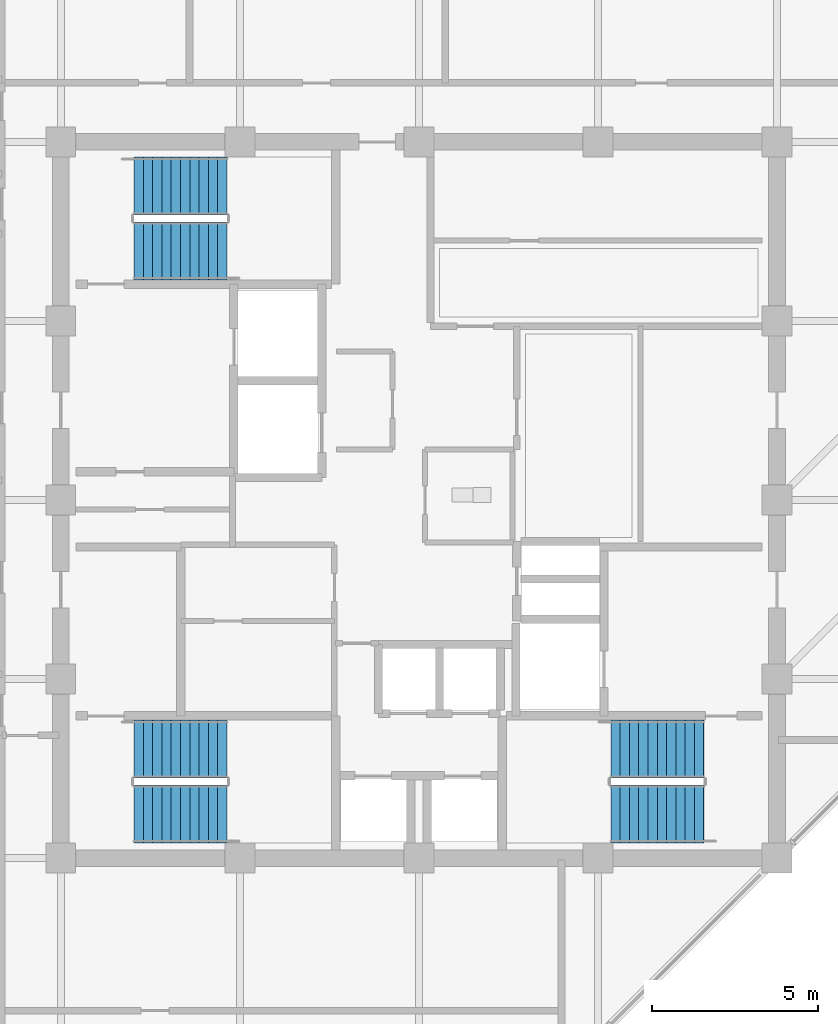
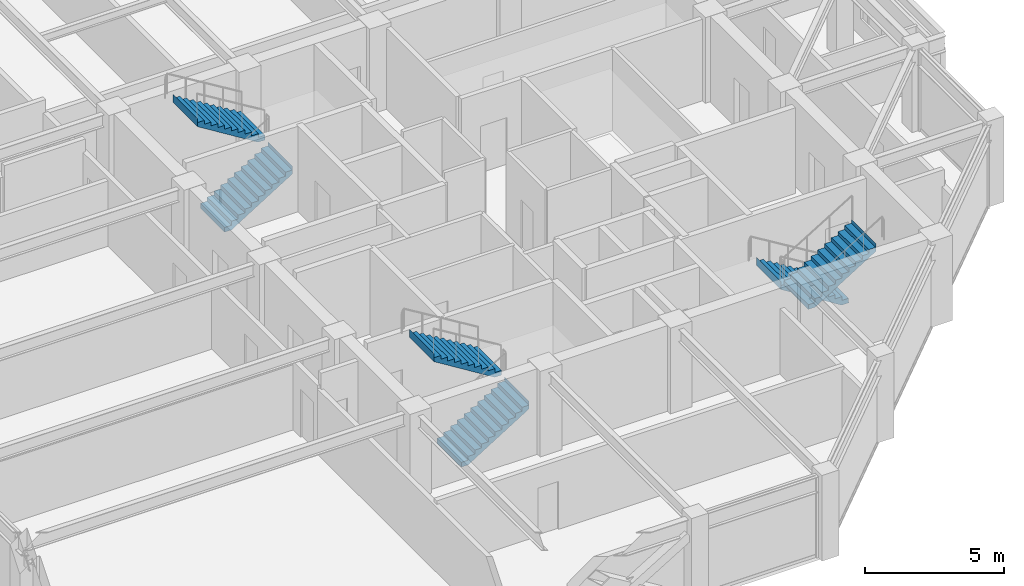
# One storey, part 26 of 29: 6 stair flights, 3 elements without a shape of their own.
"""IFC4 building model written with IfcOpenShell, lengths in metres."""

from ifc_helpers import new_model, si_unit, direction, frame, origin, place, context, subcontext, project, spatial, polyline, outline, extrude, material, type_object, element, aggregate, save


model = new_model("IFC4")

# Units and contexts
model_context = context("Model", 3, precision=1e-05, world=origin(), true_north=direction((0.0, 1.0)))
body_context = subcontext(model_context, "Body", "Model", "MODEL_VIEW")
ifc_project = project(units=[si_unit("LENGTHUNIT", "METRE"), si_unit("AREAUNIT", "SQUARE_METRE"), si_unit("VOLUMEUNIT", "CUBIC_METRE"), si_unit("PLANEANGLEUNIT", "RADIAN"), si_unit("MASSUNIT", "GRAM", prefix="KILO")], contexts=[model_context])

# Site, building, storey
site_placement = place(None, origin())
site = spatial("IfcSite", under=ifc_project, at=site_placement, CompositionType="ELEMENT")
building_placement = place(site_placement, origin())
building = spatial("IfcBuilding", under=site, at=building_placement, Name="Surkhivell Harbour Commons", CompositionType="ELEMENT")
storey_placement = place(building_placement, frame((0.0, 0.0, 273.75)))
storey = spatial("IfcBuildingStorey", under=building, at=storey_placement, Name="L71", CompositionType="ELEMENT", Elevation=273.75)

# Stair, stair flights
ifc_material = material(Name="Precast concrete C45/55", Category="concrete")
stair_type = type_object("IfcStairType", Name="STR-DL-375", PredefinedType="HALF_TURN_STAIR", material=ifc_material)
stair_1_placement = place(storey_placement, origin())
stair_1 = element("IfcStair", 1, at=stair_1_placement, inside=storey, type_object=stair_type, Name="L71 Core Exit Stair ST1", PredefinedType="HALF_TURN_STAIR")
stair_flight_type = type_object("IfcStairFlightType", Name="STF-DL-375", PredefinedType="STRAIGHT", material=ifc_material)
stair_flight_1_placement = place(storey_placement, frame((-8.590087890625, 7.514892578125, 0.0), z_axis=(0.0, 0.0, 1.0), x_axis=(1.0, 0.0, 0.0)))
stair_flight_1 = element("IfcStairFlight", 2, at=stair_flight_1_placement, type_object=stair_flight_type, Name="ST1 flight 1", NumberOfRisers=11, NumberOfTreads=10, PredefinedType="STRAIGHT", RiserHeight=0.170454545, TreadLength=0.28, context=body_context, shape_type="SweptSolid", body=[
    extrude(outline(polyline([(-0.0029296875, -0.034912109375), (-0.0029296875, 0.0), (0.0, 0.0), (0.0, 0.17041015625), (0.280029296875, 0.17041015625), (0.280029296875, 0.3408203125), (0.56005859375, 0.3408203125), (0.56005859375, 0.511474609375), (0.840087890625, 0.511474609375), (0.840087890625, 0.681884765625), (1.1201171875, 0.681884765625), (1.1201171875, 0.852294921875), (1.39990234375, 0.852294921875), (1.39990234375, 1.022705078125), (1.679931640625, 1.022705078125), (1.679931640625, 1.193115234375), (1.9599609375, 1.193115234375), (1.9599609375, 1.363525390625), (2.239990234375, 1.363525390625), (2.239990234375, 1.5341796875), (2.52001953125, 1.5341796875), (2.52001953125, 1.70458984375), (2.800048828125, 1.70458984375), (2.800048828125, 1.875), (2.802978515625, 1.875), (2.802978515625, 1.529052734375), (0.288330078125, -0.034912109375), (-0.0029296875, -0.034912109375)])), frame((0.0, 0.875, 0.0), z_axis=(0.0, -1.0, 0.0), x_axis=(1.0, 0.0, 0.0)), (0.0, 0.0, 1.0), 1.75),
])
stair_flight_2_placement = place(storey_placement, frame((-5.7900390625, 9.465087890625, 1.875), z_axis=(0.0, 0.0, 1.0), x_axis=(-1.0, 0.0, 0.0)))
stair_flight_2 = element("IfcStairFlight", 3, at=stair_flight_2_placement, type_object=stair_flight_type, Name="ST1 flight 2", NumberOfRisers=11, NumberOfTreads=10, PredefinedType="STRAIGHT", RiserHeight=0.170454545, TreadLength=0.28, context=body_context, shape_type="SweptSolid", body=[
    extrude(outline(polyline([(-0.0029296875, -0.034912109375), (-0.0029296875, 0.0), (0.0, 0.0), (0.0, 0.17041015625), (0.280029296875, 0.17041015625), (0.280029296875, 0.3408203125), (0.56005859375, 0.3408203125), (0.56005859375, 0.511474609375), (0.840087890625, 0.511474609375), (0.840087890625, 0.681884765625), (1.1201171875, 0.681884765625), (1.1201171875, 0.852294921875), (1.39990234375, 0.852294921875), (1.39990234375, 1.022705078125), (1.679931640625, 1.022705078125), (1.679931640625, 1.193115234375), (1.9599609375, 1.193115234375), (1.9599609375, 1.363525390625), (2.239990234375, 1.363525390625), (2.239990234375, 1.5341796875), (2.52001953125, 1.5341796875), (2.52001953125, 1.70458984375), (2.800048828125, 1.70458984375), (2.800048828125, 1.875), (2.802978515625, 1.875), (2.802978515625, 1.529052734375), (0.288330078125, -0.034912109375), (-0.0029296875, -0.034912109375)])), frame((0.0, 0.875, 0.0), z_axis=(0.0, -1.0, 0.0), x_axis=(1.0, 0.0, 0.0)), (0.0, 0.0, 1.0), 1.75),
])
aggregate(stair_1, [stair_flight_1, stair_flight_2])

stair_2_placement = place(storey_placement, origin())
stair_2 = element("IfcStair", 4, at=stair_2_placement, inside=storey, type_object=stair_type, Name="L71 Core Exit Stair ST2", PredefinedType="HALF_TURN_STAIR")
stair_flight_3_placement = place(storey_placement, frame((8.590087890625, -7.514892578125, 0.0), z_axis=(0.0, 0.0, 1.0), x_axis=(-1.0, 0.0, 0.0)))
stair_flight_3 = element("IfcStairFlight", 5, at=stair_flight_3_placement, type_object=stair_flight_type, Name="ST2 flight 1", NumberOfRisers=11, NumberOfTreads=10, PredefinedType="STRAIGHT", RiserHeight=0.170454545, TreadLength=0.28, context=body_context, shape_type="SweptSolid", body=[
    extrude(outline(polyline([(-0.0029296875, -0.034912109375), (-0.0029296875, 0.0), (0.0, 0.0), (0.0, 0.17041015625), (0.280029296875, 0.17041015625), (0.280029296875, 0.3408203125), (0.56005859375, 0.3408203125), (0.56005859375, 0.511474609375), (0.840087890625, 0.511474609375), (0.840087890625, 0.681884765625), (1.1201171875, 0.681884765625), (1.1201171875, 0.852294921875), (1.39990234375, 0.852294921875), (1.39990234375, 1.022705078125), (1.679931640625, 1.022705078125), (1.679931640625, 1.193115234375), (1.9599609375, 1.193115234375), (1.9599609375, 1.363525390625), (2.239990234375, 1.363525390625), (2.239990234375, 1.5341796875), (2.52001953125, 1.5341796875), (2.52001953125, 1.70458984375), (2.800048828125, 1.70458984375), (2.800048828125, 1.875), (2.802978515625, 1.875), (2.802978515625, 1.529052734375), (0.288330078125, -0.034912109375), (-0.0029296875, -0.034912109375)])), frame((0.0, 0.875, 0.0), z_axis=(0.0, -1.0, 0.0), x_axis=(1.0, 0.0, 0.0)), (0.0, 0.0, 1.0), 1.75),
])
stair_flight_4_placement = place(storey_placement, frame((5.7900390625, -9.465087890625, 1.875), z_axis=(0.0, 0.0, 1.0), x_axis=(1.0, 0.0, 0.0)))
stair_flight_4 = element("IfcStairFlight", 6, at=stair_flight_4_placement, type_object=stair_flight_type, Name="ST2 flight 2", NumberOfRisers=11, NumberOfTreads=10, PredefinedType="STRAIGHT", RiserHeight=0.170454545, TreadLength=0.28, context=body_context, shape_type="SweptSolid", body=[
    extrude(outline(polyline([(-0.0029296875, -0.034912109375), (-0.0029296875, 0.0), (0.0, 0.0), (0.0, 0.17041015625), (0.280029296875, 0.17041015625), (0.280029296875, 0.3408203125), (0.56005859375, 0.3408203125), (0.56005859375, 0.511474609375), (0.840087890625, 0.511474609375), (0.840087890625, 0.681884765625), (1.1201171875, 0.681884765625), (1.1201171875, 0.852294921875), (1.39990234375, 0.852294921875), (1.39990234375, 1.022705078125), (1.679931640625, 1.022705078125), (1.679931640625, 1.193115234375), (1.9599609375, 1.193115234375), (1.9599609375, 1.363525390625), (2.239990234375, 1.363525390625), (2.239990234375, 1.5341796875), (2.52001953125, 1.5341796875), (2.52001953125, 1.70458984375), (2.800048828125, 1.70458984375), (2.800048828125, 1.875), (2.802978515625, 1.875), (2.802978515625, 1.529052734375), (0.288330078125, -0.034912109375), (-0.0029296875, -0.034912109375)])), frame((0.0, 0.875, 0.0), z_axis=(0.0, -1.0, 0.0), x_axis=(1.0, 0.0, 0.0)), (0.0, 0.0, 1.0), 1.75),
])
aggregate(stair_2, [stair_flight_3, stair_flight_4])

stair_3_placement = place(storey_placement, origin())
stair_3 = element("IfcStair", 7, at=stair_3_placement, inside=storey, type_object=stair_type, Name="L71 Core Exit Stair ST3", PredefinedType="HALF_TURN_STAIR")
stair_flight_5_placement = place(storey_placement, frame((-8.590087890625, -9.465087890625, 0.0), z_axis=(0.0, 0.0, 1.0), x_axis=(1.0, 0.0, 0.0)))
stair_flight_5 = element("IfcStairFlight", 8, at=stair_flight_5_placement, type_object=stair_flight_type, Name="ST3 flight 1", NumberOfRisers=11, NumberOfTreads=10, PredefinedType="STRAIGHT", RiserHeight=0.170454545, TreadLength=0.28, context=body_context, shape_type="SweptSolid", body=[
    extrude(outline(polyline([(-0.0029296875, -0.034912109375), (-0.0029296875, 0.0), (0.0, 0.0), (0.0, 0.17041015625), (0.280029296875, 0.17041015625), (0.280029296875, 0.3408203125), (0.56005859375, 0.3408203125), (0.56005859375, 0.511474609375), (0.840087890625, 0.511474609375), (0.840087890625, 0.681884765625), (1.1201171875, 0.681884765625), (1.1201171875, 0.852294921875), (1.39990234375, 0.852294921875), (1.39990234375, 1.022705078125), (1.679931640625, 1.022705078125), (1.679931640625, 1.193115234375), (1.9599609375, 1.193115234375), (1.9599609375, 1.363525390625), (2.239990234375, 1.363525390625), (2.239990234375, 1.5341796875), (2.52001953125, 1.5341796875), (2.52001953125, 1.70458984375), (2.800048828125, 1.70458984375), (2.800048828125, 1.875), (2.802978515625, 1.875), (2.802978515625, 1.529052734375), (0.288330078125, -0.034912109375), (-0.0029296875, -0.034912109375)])), frame((0.0, 0.875, 0.0), z_axis=(0.0, -1.0, 0.0), x_axis=(1.0, 0.0, 0.0)), (0.0, 0.0, 1.0), 1.75),
])
stair_flight_6_placement = place(storey_placement, frame((-5.7900390625, -7.514892578125, 1.875), z_axis=(0.0, 0.0, 1.0), x_axis=(-1.0, 0.0, 0.0)))
stair_flight_6 = element("IfcStairFlight", 9, at=stair_flight_6_placement, type_object=stair_flight_type, Name="ST3 flight 2", NumberOfRisers=11, NumberOfTreads=10, PredefinedType="STRAIGHT", RiserHeight=0.170454545, TreadLength=0.28, context=body_context, shape_type="SweptSolid", body=[
    extrude(outline(polyline([(-0.0029296875, -0.034912109375), (-0.0029296875, 0.0), (0.0, 0.0), (0.0, 0.17041015625), (0.280029296875, 0.17041015625), (0.280029296875, 0.3408203125), (0.56005859375, 0.3408203125), (0.56005859375, 0.511474609375), (0.840087890625, 0.511474609375), (0.840087890625, 0.681884765625), (1.1201171875, 0.681884765625), (1.1201171875, 0.852294921875), (1.39990234375, 0.852294921875), (1.39990234375, 1.022705078125), (1.679931640625, 1.022705078125), (1.679931640625, 1.193115234375), (1.9599609375, 1.193115234375), (1.9599609375, 1.363525390625), (2.239990234375, 1.363525390625), (2.239990234375, 1.5341796875), (2.52001953125, 1.5341796875), (2.52001953125, 1.70458984375), (2.800048828125, 1.70458984375), (2.800048828125, 1.875), (2.802978515625, 1.875), (2.802978515625, 1.529052734375), (0.288330078125, -0.034912109375), (-0.0029296875, -0.034912109375)])), frame((0.0, 0.875, 0.0), z_axis=(0.0, -1.0, 0.0), x_axis=(1.0, 0.0, 0.0)), (0.0, 0.0, 1.0), 1.75),
])
aggregate(stair_3, [stair_flight_5, stair_flight_6])

save(model, "model.ifc")
